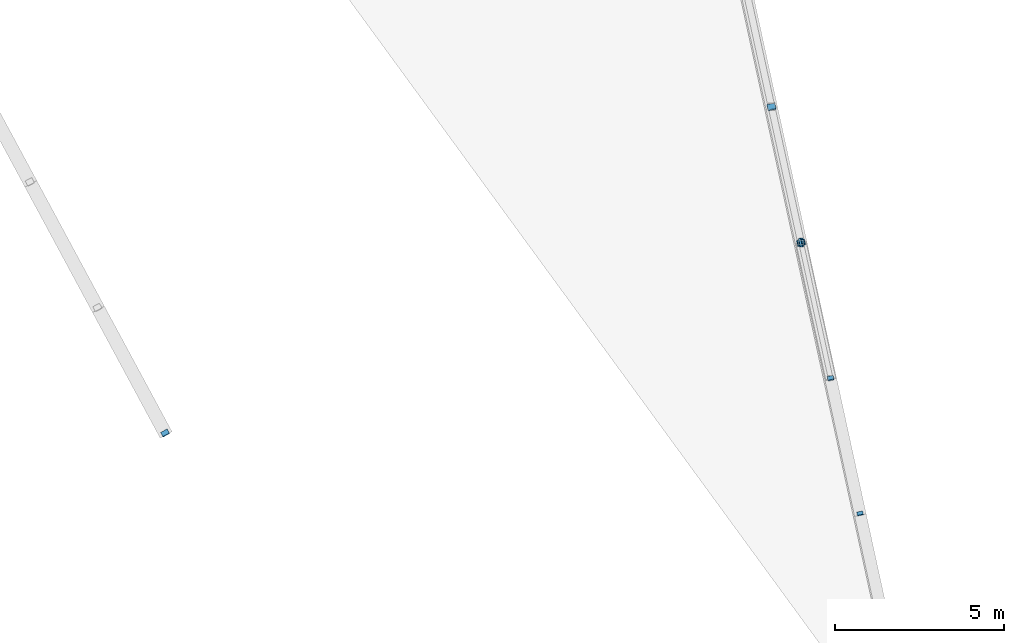
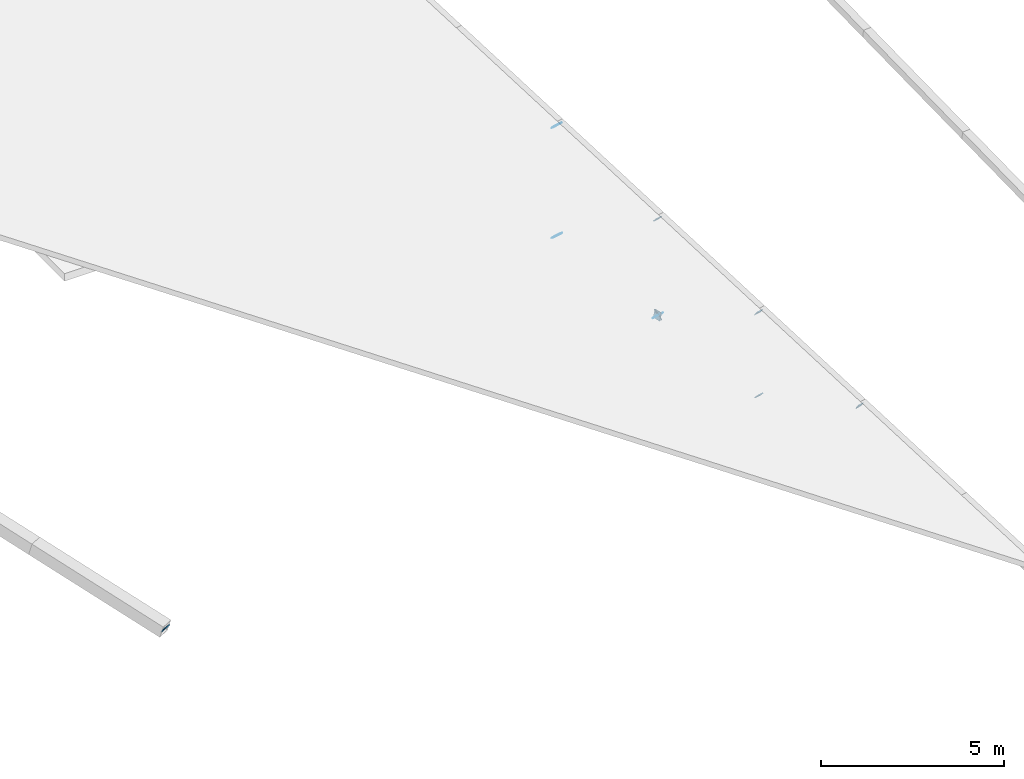
# One storey, part 164 of 188: 10 discrete accessories.
"""IFC4 building model written with IfcOpenShell, lengths in metres."""

import ifcopenshell
import ifcopenshell.guid

model = None  # the IFC model being written
_history = None  # IfcOwnerHistory: only IFC2X3 demands one
_inside = {}  # id of a spatial element -> (the spatial element, [elements in it])
_under = {}  # id of a project, library or spatial element -> (it, [spatial elements below it])
_declared = {}  # id of a project -> (the project, [libraries it declares])
_typed = {}  # id of a type object -> (the type object, [elements of that type])
_made_of = {}  # id of a material, layer set ... -> (it, [elements and type objects made of it])


def new_model(schema):
    """Start an empty IFC model of exactly this schema.

    Asked for "IFC4X3", IfcOpenShell would pick the latest addendum, in which some entities
    have other attributes; the version numbers below select the first issue.
    IFC2X3 requires an IfcOwnerHistory on every rooted entity: one is made here for all.
    """
    global model, _history
    if schema == "IFC4X3":
        model = ifcopenshell.file(schema_version=(4, 3, 0, 0))
    else:
        model = ifcopenshell.file(schema=schema)
    _inside.clear()
    _under.clear()
    _declared.clear()
    _typed.clear()
    _made_of.clear()
    _history = None
    if model.schema == "IFC2X3":
        org = make("IfcOrganization", Name="unknown")
        user = make(
            "IfcPersonAndOrganization",
            ThePerson=make("IfcPerson", FamilyName="unknown"),
            TheOrganization=org,
        )
        app = make(
            "IfcApplication",
            ApplicationDeveloper=org,
            Version="unknown",
            ApplicationFullName="unknown",
            ApplicationIdentifier="unknown",
        )
        _history = make(
            "IfcOwnerHistory",
            OwningUser=user,
            OwningApplication=app,
            ChangeAction="ADDED",
            CreationDate=0,
        )
    return model


def make(cls, **values):
    """One entity of the class cls with the attributes given. An attribute that is None is left unset."""
    return model.create_entity(
        cls, **{name: value for name, value in values.items() if value is not None}
    )


def rooted(cls, **values):
    """An entity with a GlobalId (a new one), such as an element, a storey or a relation."""
    return make(cls, GlobalId=ifcopenshell.guid.new(), OwnerHistory=_history, **values)


def si_unit(unit_type, name, prefix=None):
    """IfcSIUnit, for example si_unit("LENGTHUNIT", "METRE", prefix="MILLI")."""
    return make("IfcSIUnit", UnitType=unit_type, Prefix=prefix, Name=name)


def assignment(units):
    """IfcUnitAssignment: the units of a project."""
    return None if units is None else make("IfcUnitAssignment", Units=units)


def point(xyz):
    """IfcCartesianPoint."""
    return None if xyz is None else make("IfcCartesianPoint", Coordinates=xyz)


def direction(xyz):
    """IfcDirection."""
    return None if xyz is None else make("IfcDirection", DirectionRatios=xyz)


def frame(location, z_axis=None, x_axis=None):
    """IfcAxis2Placement3D, a coordinate frame: its origin and axes. An axis left out is left unset."""
    return make(
        "IfcAxis2Placement3D",
        Location=point(location),
        Axis=direction(z_axis),
        RefDirection=direction(x_axis),
    )


def frame_2d(location, x_axis=None):
    """IfcAxis2Placement2D, a coordinate frame in the plane: its origin and x axis."""
    return make(
        "IfcAxis2Placement2D", Location=point(location), RefDirection=direction(x_axis)
    )


def origin():
    """The frame at (0, 0, 0) with its axes left unset."""
    return frame((0.0, 0.0, 0.0))


def origin_2d():
    """The frame at (0, 0) in the plane with its x axis left unset."""
    return frame_2d((0.0, 0.0))


def place(relative_to, where):
    """IfcLocalPlacement: puts the frame where relative to a parent placement (None: the world)."""
    return make(
        "IfcLocalPlacement", PlacementRelTo=relative_to, RelativePlacement=where
    )


def context(
    kind, dimensions, precision=None, world=None, true_north=None, identifier=None
):
    """IfcGeometricRepresentationContext, for example the 3D "Model" context."""
    return make(
        "IfcGeometricRepresentationContext",
        ContextIdentifier=identifier,
        ContextType=kind,
        CoordinateSpaceDimension=dimensions,
        Precision=precision,
        WorldCoordinateSystem=world,
        TrueNorth=true_north,
    )


def subcontext(parent, identifier, kind, view, scale=None):
    """IfcGeometricRepresentationSubContext, for example "Body" below "Model"."""
    return make(
        "IfcGeometricRepresentationSubContext",
        ContextIdentifier=identifier,
        ContextType=kind,
        ParentContext=parent,
        TargetScale=scale,
        TargetView=view,
    )


def project(units=None, contexts=None):
    """IfcProject with its units and contexts."""
    return rooted(
        "IfcProject",
        Name="project",
        RepresentationContexts=contexts,
        UnitsInContext=assignment(units),
    )


def spatial(cls, under=None, at=None, **own):
    """A site, building, storey or space (cls), placed at a placement, below another one or the project."""
    s = rooted(cls, ObjectPlacement=at, **own)
    if under is not None:
        _under.setdefault(under.id(), (under, []))[1].append(s)
    return s


def profile(cls, at=None, kind="AREA", **sizes):
    """A parametric profile (cls). Its sizes go by their IFC names, for example OverallWidth=200.0."""
    return make(cls, ProfileType=kind, Position=at, **sizes)


def rectangle(**sizes):
    """IfcRectangleProfileDef."""
    return profile("IfcRectangleProfileDef", **sizes)


def extrude(swept, where, along, depth):
    """IfcExtrudedAreaSolid: the profile swept, set in the frame where, extruded along a direction by depth."""
    return make(
        "IfcExtrudedAreaSolid",
        SweptArea=swept,
        Position=where,
        ExtrudedDirection=direction(along),
        Depth=depth,
    )


def shape(context_of_items, identifier, shape_type, items):
    """IfcShapeRepresentation: the items that make up one representation, for example the "Body"."""
    return make(
        "IfcShapeRepresentation",
        ContextOfItems=context_of_items,
        RepresentationIdentifier=identifier,
        RepresentationType=shape_type,
        Items=items,
    )


def material(Name=None, Category=None):
    """IfcMaterial."""
    return make("IfcMaterial", Name=Name, Category=Category)


def material_profile(
    of_material, cross_section, Name=None, Category=None, Priority=None
):
    """IfcMaterialProfile: a cross section and its material."""
    return make(
        "IfcMaterialProfile",
        Name=Name,
        Material=of_material,
        Profile=cross_section,
        Priority=Priority,
        Category=Category,
    )


def profile_set(profiles, Name=None, composite=None):
    """IfcMaterialProfileSet."""
    return make(
        "IfcMaterialProfileSet",
        Name=Name,
        MaterialProfiles=profiles,
        CompositeProfile=composite,
    )


def made_of(thing, what):
    """Note that an element or type object is made of a material, layer set ...; save() writes the relation."""
    if what is not None:
        _made_of.setdefault(what.id(), (what, []))[1].append(thing)
    return thing


def type_object(cls, material=None, **own):
    """A type object (cls), such as IfcWallType, which elements share."""
    return made_of(rooted(cls, **own), material)


def element(
    cls,
    number,
    at=None,
    inside=None,
    cuts=None,
    type_object=None,
    material=None,
    context=None,
    identifier="Body",
    shape_type=None,
    held_by="IfcProductDefinitionShape",
    body=None,
    shapes=None,
    **own,
):
    """One element of the class cls, such as IfcWall. Its Tag is "e" and its number.

    at: its placement. inside: the storey or other place that contains it. cuts: it is an
    opening in that element (IfcRelVoidsElement). A single representation is given by context,
    identifier, shape_type and body (its items); several are given by shapes. held_by: the class
    of the entity that holds the representations. save() writes the other relations.
    """
    e = rooted(cls, Tag="e%d" % number, ObjectPlacement=at, **own)
    if body is not None:
        shapes = [shape(context, identifier, shape_type, body)]
    if shapes is not None:
        e.Representation = make(held_by, Representations=shapes)
    if inside is not None:
        _inside.setdefault(inside.id(), (inside, []))[1].append(e)
    if cuts is not None:
        rooted(
            "IfcRelVoidsElement", RelatingBuildingElement=cuts, RelatedOpeningElement=e
        )
    if type_object is not None:
        _typed.setdefault(type_object.id(), (type_object, []))[1].append(e)
    return made_of(e, material)


def aggregate(whole, parts):
    """IfcRelAggregates: a whole, such as a stair, and the parts it consists of."""
    return rooted("IfcRelAggregates", RelatingObject=whole, RelatedObjects=parts)


def save(model, path):
    """Write the relations noted so far, then the file.

    IfcRelAggregates (storeys below a building ...), IfcRelContainedInSpatialStructure (elements
    in a storey), IfcRelDefinesByType, IfcRelAssociatesMaterial and IfcRelDeclares: one each for
    every whole, place, type object, material and project.
    """
    for whole, parts in _under.values():
        aggregate(whole, parts)
    for where, things in _inside.values():
        rooted(
            "IfcRelContainedInSpatialStructure",
            RelatedElements=things,
            RelatingStructure=where,
        )
    for kind, things in _typed.values():
        rooted("IfcRelDefinesByType", RelatedObjects=things, RelatingType=kind)
    for what, things in _made_of.values():
        rooted("IfcRelAssociatesMaterial", RelatedObjects=things, RelatingMaterial=what)
    for by, libraries in _declared.values():
        rooted("IfcRelDeclares", RelatingContext=by, RelatedDefinitions=libraries)
    model.write(path)


model = new_model("IFC4")

# Units and contexts
model_context = context("Model", 3, precision=1e-05, world=origin(), true_north=direction((0.0, 1.0)))
body_context = subcontext(model_context, "Body", "Model", "MODEL_VIEW")
ifc_project = project(units=[si_unit("LENGTHUNIT", "METRE"), si_unit("AREAUNIT", "SQUARE_METRE"), si_unit("VOLUMEUNIT", "CUBIC_METRE"), si_unit("PLANEANGLEUNIT", "RADIAN"), si_unit("MASSUNIT", "GRAM", prefix="KILO")], contexts=[model_context])

# Site, building, storey
site_placement = place(None, origin())
site = spatial("IfcSite", under=ifc_project, at=site_placement, CompositionType="ELEMENT")
building_placement = place(site_placement, origin())
building = spatial("IfcBuilding", under=site, at=building_placement, Name="Meseta Stadium", CompositionType="ELEMENT")
storey_placement = place(building_placement, frame((0.0, 0.0, 30.0)))
storey = spatial("IfcBuildingStorey", under=building, at=storey_placement, Name="ROOF", CompositionType="ELEMENT", Elevation=30.0)

# Discrete accessories
ifc_material_1 = material(Name="Steel S355", Category="steel")
ifc_material_profile_1 = material_profile(ifc_material_1, rectangle(XDim=0.179931640625, YDim=0.179931640625, at=origin_2d()), Name="PL 180x180")
ifc_profile_set_1 = profile_set([ifc_material_profile_1], Name="Steel S355")
discrete_accessory_type_1 = type_object("IfcDiscreteAccessoryType", Name="End plate 180x180x20", PredefinedType="ANCHORPLATE", material=ifc_profile_set_1)
discrete_accessory_1_placement = place(storey_placement, frame((-16.1357421875, 73.859130859375, 2.677978515625), z_axis=(-0.171447138138, 0.80825079408, 0.563326311025), x_axis=(-0.978234125102, -0.207504208355, 0.0)))
element("IfcDiscreteAccessory", 1, at=discrete_accessory_1_placement, inside=storey, type_object=discrete_accessory_type_1, Name="End plate of ROOF TRUSS RT-20 diagonal", PredefinedType="ANCHORPLATE", context=body_context, shape_type="SweptSolid", body=[
    extrude(rectangle(XDim=0.179931640625, YDim=0.179931640625, at=origin_2d()), origin(), (0.0, 0.0, 1.0), 0.02001953125),
])
discrete_accessory_2_placement = place(storey_placement, frame((-17.008544921875, 77.870361328125, 3.67041015625), z_axis=(-0.171795306879, 0.760807787608, 0.625825760774), x_axis=(-0.975441002068, -0.220260871435, 0.0)))
element("IfcDiscreteAccessory", 2, at=discrete_accessory_2_placement, inside=storey, type_object=discrete_accessory_type_1, Name="End plate of ROOF TRUSS RT-20 diagonal", PredefinedType="ANCHORPLATE", context=body_context, shape_type="SweptSolid", body=[
    extrude(rectangle(XDim=0.179931640625, YDim=0.179931640625, at=origin_2d()), origin(), (0.0, 0.0, 1.0), 0.019775390625),
])
for number, where, z_axis, x_axis, name in (
    (3, (-17.00537109375, 77.85595703125, 0.904296875), (-0.159117415954, 0.722148272407, 0.673189067498), (-0.976574948551, -0.215177531037, 0.0), "End plate of ROOF TRUSS RT-20 diagonal"),
    (4, (-17.881591796875, 81.88134765625, 4.662841796875), (-0.157717752991, 0.727928090727, 0.6672674165), (-0.977323140027, -0.211753347006, 0.0), "End plate of ROOF TRUSS RT-20 diagonal"),
):
    element("IfcDiscreteAccessory", number, at=place(storey_placement, frame(where, z_axis=z_axis, x_axis=x_axis)), inside=storey, type_object=discrete_accessory_type_1, Name=name, PredefinedType="ANCHORPLATE", context=body_context, shape_type="SweptSolid", body=[
        extrude(rectangle(XDim=0.179931640625, YDim=0.179931640625, at=origin_2d()), origin(), (0.0, 0.0, 1.0), 0.02001953125),
    ])
ifc_material_2 = material(Name="Steel S355", Category="steel")
ifc_material_profile_2 = material_profile(ifc_material_2, rectangle(XDim=0.219970703125, YDim=0.219970703125, at=origin_2d()), Name="PL 220x220")
ifc_profile_set_2 = profile_set([ifc_material_profile_2], Name="Steel S355")
discrete_accessory_type_2 = type_object("IfcDiscreteAccessoryType", Name="End plate 220x220x20", PredefinedType="ANCHORPLATE", material=ifc_profile_set_2)
discrete_accessory_3_placement = place(storey_placement, frame((-36.682373046875, 76.239013671875, 0.993896484375), z_axis=(-0.35495423559, 0.673189067498, 0.648709465044), x_axis=(-0.884569100485, -0.466409162074, 0.0)))
element("IfcDiscreteAccessory", 5, at=discrete_accessory_3_placement, inside=storey, type_object=discrete_accessory_type_2, Name="End plate of ROOF TRUSS RT-22 diagonal", PredefinedType="ANCHORPLATE", context=body_context, shape_type="SweptSolid", body=[
    extrude(rectangle(XDim=0.219970703125, YDim=0.219970703125, at=origin_2d()), origin(), (0.0, 0.0, 1.0), 0.02001953125),
])
ifc_material_3 = material(Name="Steel S355", Category="steel")
ifc_material_profile_3 = material_profile(ifc_material_3, rectangle(XDim=0.239990234375, YDim=0.239990234375, at=origin_2d()), Name="PL 240x240")
ifc_profile_set_3 = profile_set([ifc_material_profile_3], Name="Steel S355")
discrete_accessory_type_3 = type_object("IfcDiscreteAccessoryType", Name="End plate 240x240x20", PredefinedType="ANCHORPLATE", material=ifc_profile_set_3)
for number, where, z_axis, x_axis, name in (
    (6, (-17.878662109375, 81.86767578125, 1.445068359375), (-0.145940482608, 0.681055585504, 0.717540706156), (-0.977802414077, -0.209529088731, 0.0), "End plate of ROOF TRUSS RT-20 diagonal"),
    (7, (-18.754638671875, 85.892578125, 5.6552734375), (-0.147219871444, 0.687026066737, 0.711562711977), (-0.977802414077, -0.209529088731, 0.0), "End plate of ROOF TRUSS RT-20 diagonal"),
    (8, (-18.751708984375, 85.879638671875, 1.986083984375), (-0.146888618032, 0.648758062974, 0.746683808328), (-0.975313298974, -0.220825652598, 0.0), "End plate of ROOF TRUSS RT-20 diagonal"),
):
    element("IfcDiscreteAccessory", number, at=place(storey_placement, frame(where, z_axis=z_axis, x_axis=x_axis)), inside=storey, type_object=discrete_accessory_type_3, Name=name, PredefinedType="ANCHORPLATE", context=body_context, shape_type="SweptSolid", body=[
        extrude(rectangle(XDim=0.239990234375, YDim=0.239990234375, at=origin_2d()), origin(), (0.0, 0.0, 1.0), 0.02001953125),
    ])
ifc_material_4 = material(Name="Steel S355", Category="steel")
ifc_material_profile_4 = material_profile(ifc_material_4, rectangle(XDim=0.260009765625, YDim=0.260009765625, at=origin_2d()), Name="PL 260x260")
ifc_profile_set_4 = profile_set([ifc_material_profile_4], Name="Steel S355")
discrete_accessory_type_4 = type_object("IfcDiscreteAccessoryType", Name="End plate 260x260x20", PredefinedType="ANCHORPLATE", material=ifc_profile_set_4)
discrete_accessory_4_placement = place(storey_placement, frame((-17.881591796875, 81.88134765625, 1.45947265625), z_axis=(-0.944163595731, -0.232975432713, 0.232975432713), x_axis=(0.239567708184, -0.970879659482, 0.0)))
element("IfcDiscreteAccessory", 9, at=discrete_accessory_4_placement, inside=storey, type_object=discrete_accessory_type_4, Name="End plate of ROOF TRUSS STRUT RT-19/20", PredefinedType="ANCHORPLATE", context=body_context, shape_type="SweptSolid", body=[
    extrude(rectangle(XDim=0.260009765625, YDim=0.260009765625, at=origin_2d()), origin(), (0.0, 0.0, 1.0), 0.02001953125),
])
discrete_accessory_5_placement = place(storey_placement, frame((-17.863037109375, 81.881591796875, 1.466552734375), z_axis=(-0.934222259411, -0.01229239815, -0.356479546354), x_axis=(0.01315675587, -0.999913446142, 0.0)))
element("IfcDiscreteAccessory", 10, at=discrete_accessory_5_placement, inside=storey, type_object=discrete_accessory_type_4, Name="End plate of ROOF TRUSS STRUT RT-20/21", PredefinedType="ANCHORPLATE", context=body_context, shape_type="SweptSolid", body=[
    extrude(rectangle(XDim=0.260009765625, YDim=0.260009765625, at=origin_2d()), origin(), (0.0, 0.0, 1.0), 0.019775390625),
])

save(model, "model.ifc")
